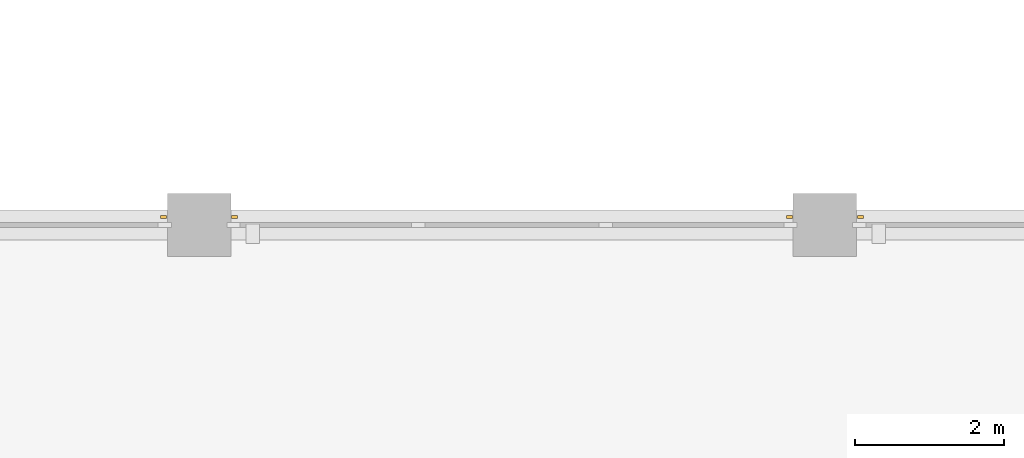
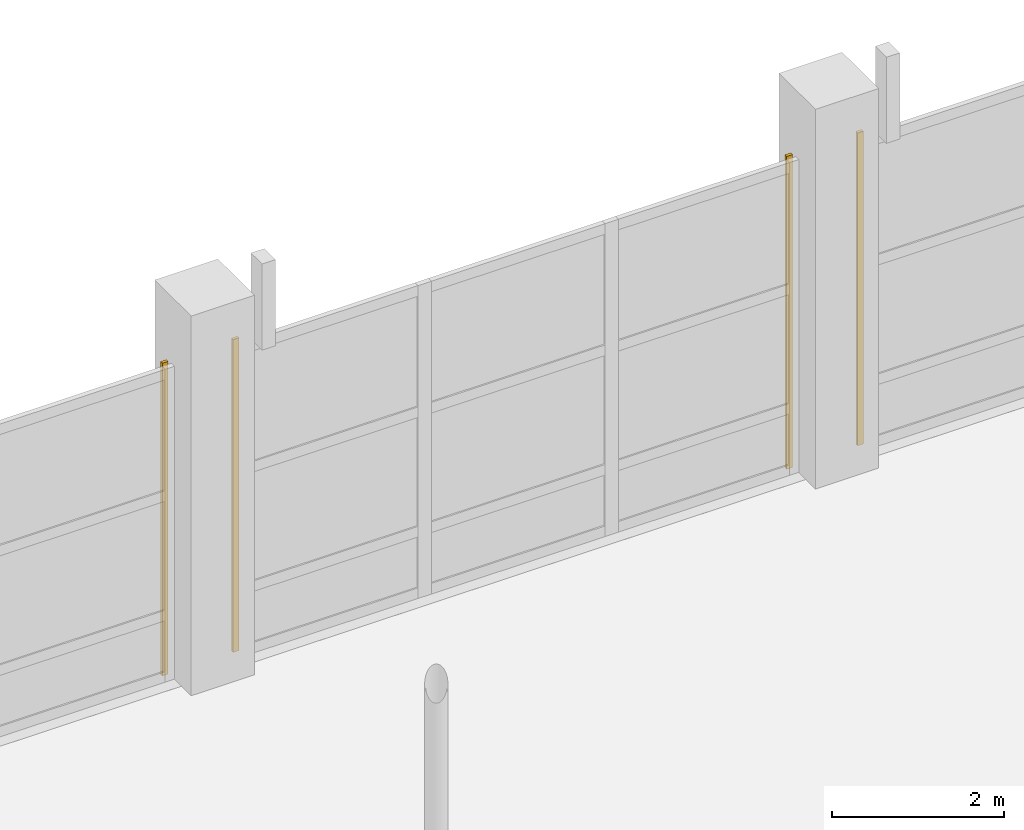
# One storey, part 123 of 140: 4 coverings.
"""IFC4 building model written with IfcOpenShell, lengths in metres."""

from ifc_helpers import new_model, si_unit, direction, frame, origin, origin_2d, place, context, subcontext, project, spatial, rectangle, extrude, material, layer, layer_set, type_object, element, save


model = new_model("IFC4")

# Units and contexts
model_context = context("Model", 3, precision=1e-05, world=origin(), true_north=direction((0.0, 1.0)))
body_context = subcontext(model_context, "Body", "Model", "MODEL_VIEW")
ifc_project = project(units=[si_unit("LENGTHUNIT", "METRE"), si_unit("AREAUNIT", "SQUARE_METRE"), si_unit("VOLUMEUNIT", "CUBIC_METRE"), si_unit("PLANEANGLEUNIT", "RADIAN"), si_unit("MASSUNIT", "GRAM", prefix="KILO")], contexts=[model_context])

# Site, building, storey
site_placement = place(None, origin())
site = spatial("IfcSite", under=ifc_project, at=site_placement, CompositionType="ELEMENT")
building_placement = place(site_placement, origin())
building = spatial("IfcBuilding", under=site, at=building_placement, Name="Telukmera Botanical Conservatory", CompositionType="ELEMENT")
storey_placement = place(building_placement, origin())
storey = spatial("IfcBuildingStorey", under=building, at=storey_placement, Name="L00", CompositionType="ELEMENT", Elevation=0.0)

# Coverings
ifc_material = material(Name="Granite-faced precast concrete C40/50", Category="masonry")
ifc_layer = layer(ifc_material, 0.0400390625)
ifc_layer_set = layer_set([ifc_layer], Name="Granite-faced precast concrete C40/50")
covering_type = type_object("IfcCoveringType", Name="Granite Precast Column Pier Reveal Casing", PredefinedType="CLADDING", material=ifc_layer_set)
for number, where, z_axis, x_axis, name in (
    (1, (125.52294921875, 48.31005859375, 0.0), (0.0, 0.0, 1.0), (1.0, 0.0, 0.0), "Granite Pier Reveal V1:L00:N1 R"),
    (2, (126.47705078125, 48.31005859375, 0.0), (0.0, 0.0, 1.0), (1.0, 0.0, 0.0), "Granite Pier Reveal V1:L00:N2 L"),
    (3, (133.923095703125, 48.31005859375, 0.0), (0.0, 0.0, 1.0), (1.0, 0.0, 0.0), "Granite Pier Reveal V1:L00:N2 R"),
    (4, (134.876953125, 48.31005859375, 0.0), (0.0, 0.0, 1.0), (1.0, 0.0, 0.0), "Granite Pier Reveal V1:L00:N3 L"),
):
    element("IfcCovering", number, at=place(storey_placement, frame(where, z_axis=z_axis, x_axis=x_axis)), inside=storey, type_object=covering_type, Name=name, PredefinedType="CLADDING", context=body_context, shape_type="SweptSolid", body=[
        extrude(rectangle(XDim=0.080078125, YDim=0.0400390625, at=origin_2d()), origin(), (0.0, 0.0, 1.0), 4.449951171875),
    ])

save(model, "model.ifc")
